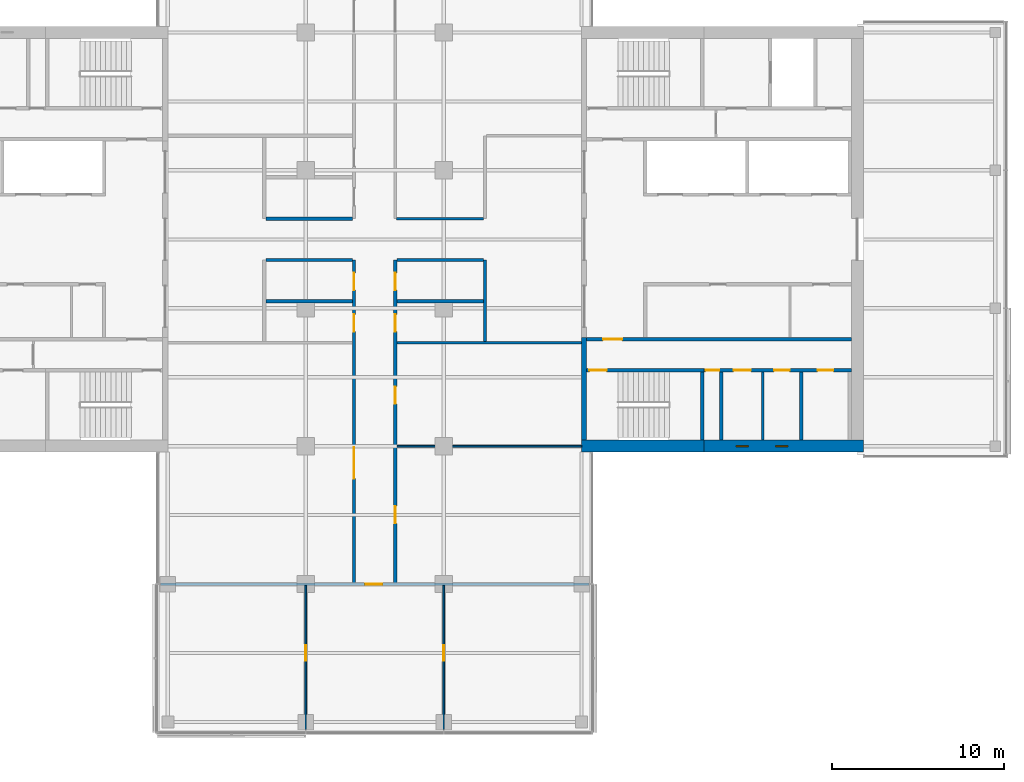
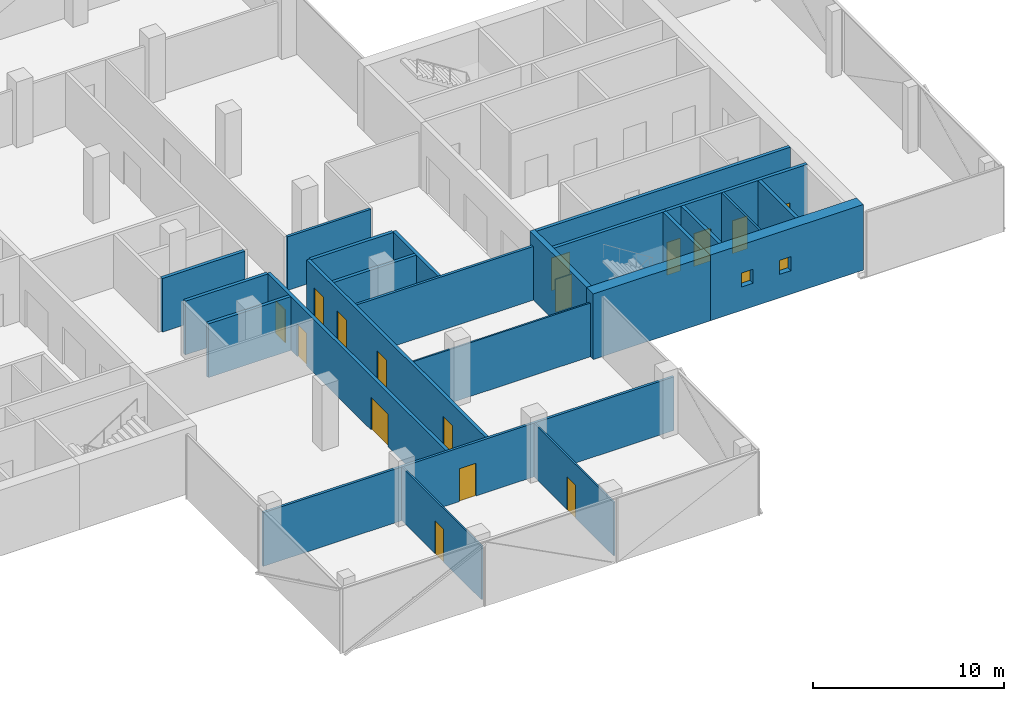
# One storey, part 14 of 22: 24 walls, 16 doors, 2 windows, 18 openings.
"""IFC4 building model written with IfcOpenShell, lengths in metres."""

from ifc_helpers import new_model, si_unit, direction, frame, frame_2d, origin, place, context, subcontext, project, spatial, rectangle, extrude, material, layer, layer_set, constituent, constituent_set, type_object, element, fill, save


model = new_model("IFC4")

# Units and contexts
model_context = context("Model", 3, precision=1e-05, world=origin(), true_north=direction((0.0, 1.0)))
body_context = subcontext(model_context, "Body", "Model", "MODEL_VIEW")
ifc_project = project(units=[si_unit("LENGTHUNIT", "METRE"), si_unit("AREAUNIT", "SQUARE_METRE"), si_unit("VOLUMEUNIT", "CUBIC_METRE"), si_unit("PLANEANGLEUNIT", "RADIAN"), si_unit("MASSUNIT", "GRAM", prefix="KILO")], contexts=[model_context])

# Site, building, storey
site_placement = place(None, origin())
site = spatial("IfcSite", under=ifc_project, at=site_placement, CompositionType="ELEMENT")
building_placement = place(site_placement, origin())
building = spatial("IfcBuilding", under=site, at=building_placement, Name="Crosswind Convention Tower", CompositionType="ELEMENT")
storey_placement = place(building_placement, frame((0.0, 0.0, 116.89990234375)))
storey = spatial("IfcBuildingStorey", under=building, at=storey_placement, Name="L23", CompositionType="ELEMENT", Elevation=116.89990234375)

# Wall
ifc_material_1 = material(Name="Concrete blockwork", Category="masonry")
ifc_layer_1 = layer(ifc_material_1, 0.199951171875)
ifc_layer_set_1 = layer_set([ifc_layer_1], Name="Blockwork partition wall 200")
wall_type_1 = type_object("IfcWallType", Name="Blockwork partition wall 200", PredefinedType="PARTITIONING", material=ifc_layer_set_1)
wall_1_placement = place(storey_placement, frame((145.10009765625, 88.35009765625, 0.0), z_axis=(0.0, 0.0, 1.0), x_axis=(0.0, 1.0, 0.0)))
element("IfcWall", 1, at=wall_1_placement, inside=storey, type_object=wall_type_1, Name="Wall MRSE E L23", PredefinedType="PARTITIONING", context=body_context, shape_type="SweptSolid", body=[
    extrude(rectangle(XDim=3.949951171875, YDim=0.199951171875, at=frame_2d((1.97509765625, 0.0))), origin(), (0.0, 0.0, 1.0), 4.2001953125),
])

# Wall, openings, doors
ifc_layer_2 = layer(ifc_material_1, 0.199951171875)
ifc_layer_set_2 = layer_set([ifc_layer_2], Name="COMPARTMENT WALL 200 BLOCKWORK")
wall_type_2 = type_object("IfcWallType", Name="COMPARTMENT WALL 200 BLOCKWORK", PredefinedType="SOLIDWALL", material=ifc_layer_set_2)
wall_2_placement = place(storey_placement, frame((123.800048828125, 80.074951171875, 0.0), z_axis=(0.0, 0.0, 1.0), x_axis=(0.0, 1.0, 0.0)))
wall_2 = element("IfcWall", 2, at=wall_2_placement, inside=storey, type_object=wall_type_2, Name="Compartment wall WT42", PredefinedType="SOLIDWALL", context=body_context, shape_type="SweptSolid", body=[
    extrude(rectangle(XDim=18.72509765625, YDim=0.199951171875, at=frame_2d((9.362548828125, 0.0))), origin(), (0.0, 0.0, 1.0), 3.4365234375),
])
opening_1_placement = place(wall_2_placement, frame((16.97509765625, 0.0, 0.0)))
opening_1 = element("IfcOpeningElement", 3, at=opening_1_placement, cuts=wall_2, Name="Opening L23-58", PredefinedType="OPENING", context=body_context, shape_type="SweptSolid", body=[
    extrude(rectangle(XDim=1.0, YDim=2.10009765625, at=frame_2d((0.5, 1.050048828125))), frame((0.0, 0.10986328125, 0.0), z_axis=(0.0, -1.0, 0.0), x_axis=(1.0, 0.0, 0.0)), (0.0, 0.0, 1.0), 0.219970703125),
])
opening_2_placement = place(wall_2_placement, frame((14.574951171875, 0.0, 0.0)))
opening_2 = element("IfcOpeningElement", 4, at=opening_2_placement, cuts=wall_2, Name="Opening L23-59", PredefinedType="OPENING", context=body_context, shape_type="SweptSolid", body=[
    extrude(rectangle(XDim=1.0, YDim=2.10009765625, at=frame_2d((0.5, 1.050048828125))), frame((0.0, 0.10986328125, 0.0), z_axis=(0.0, -1.0, 0.0), x_axis=(1.0, 0.0, 0.0)), (0.0, 0.0, 1.0), 0.219970703125),
])
opening_3_placement = place(wall_2_placement, frame((6.050048828125, 0.0, 0.0)))
opening_3 = element("IfcOpeningElement", 5, at=opening_3_placement, cuts=wall_2, Name="Opening L23-60", PredefinedType="OPENING", context=body_context, shape_type="SweptSolid", body=[
    extrude(rectangle(XDim=1.800048828125, YDim=2.10009765625, at=frame_2d((0.89990234375, 1.050048828125))), frame((0.0, 0.10986328125, 0.0), z_axis=(0.0, -1.0, 0.0), x_axis=(1.0, 0.0, 0.0)), (0.0, 0.0, 1.0), 0.219970703125),
])
ifc_material_2 = material(Name="Steel fire door", Category="steel")
door_type_1 = type_object("IfcDoorType", Name="PLANT ROOM DOOR 1000X2100 FD60", OperationType="NOTDEFINED", PredefinedType="DOOR", material=ifc_material_2)
door_1_placement = place(opening_1_placement, origin())
door_1 = element("IfcDoor", 6, at=door_1_placement, inside=storey, type_object=door_type_1, Name="Door L23-58", ObjectType="D43", OperationType="SINGLE_SWING_LEFT", OverallHeight=2.10009765625, OverallWidth=1.0, PredefinedType="DOOR", context=body_context, shape_type="SweptSolid", body=[
    extrude(rectangle(XDim=1.0, YDim=2.10009765625, at=frame_2d((0.5, 1.050048828125))), frame((0.0, 0.02490234375, 0.0), z_axis=(0.0, -1.0, 0.0), x_axis=(1.0, 0.0, 0.0)), (0.0, 0.0, 1.0), 0.050048828125),
])
fill(opening_1, door_1)
ifc_material_3 = material(Name="Timber fire door", Category="wood")
door_type_2 = type_object("IfcDoorType", Name="TENANCY ENTRANCE DOOR 1000X2100 FD30S", OperationType="NOTDEFINED", PredefinedType="DOOR", material=ifc_material_3)
door_2_placement = place(opening_2_placement, origin())
door_2 = element("IfcDoor", 7, at=door_2_placement, inside=storey, type_object=door_type_2, Name="Door L23-59", ObjectType="D41", OperationType="SINGLE_SWING_LEFT", OverallHeight=2.10009765625, OverallWidth=1.0, PredefinedType="DOOR", context=body_context, shape_type="SweptSolid", body=[
    extrude(rectangle(XDim=1.0, YDim=2.10009765625, at=frame_2d((0.5, 1.050048828125))), frame((0.0, 0.02490234375, 0.0), z_axis=(0.0, -1.0, 0.0), x_axis=(1.0, 0.0, 0.0)), (0.0, 0.0, 1.0), 0.050048828125),
])
fill(opening_2, door_2)
door_type_3 = type_object("IfcDoorType", Name="TENANCY ENTRANCE DOUBLE DOOR 1800X2100 FD30S", OperationType="DOUBLE_DOOR_SINGLE_SWING", PredefinedType="DOOR", material=ifc_material_3)
door_3_placement = place(opening_3_placement, origin())
door_3 = element("IfcDoor", 8, at=door_3_placement, inside=storey, type_object=door_type_3, Name="Door L23-60", ObjectType="D42", OperationType="DOUBLE_DOOR_SINGLE_SWING", OverallHeight=2.10009765625, OverallWidth=1.800048828125, PredefinedType="DOOR", context=body_context, shape_type="SweptSolid", body=[
    extrude(rectangle(XDim=1.800048828125, YDim=2.10009765625, at=frame_2d((0.89990234375, 1.050048828125))), frame((0.0, 0.02490234375, 0.0), z_axis=(0.0, -1.0, 0.0), x_axis=(1.0, 0.0, 0.0)), (0.0, 0.0, 1.0), 0.050048828125),
])
fill(opening_3, door_3)

wall_3_placement = place(storey_placement, frame((126.199951171875, 80.074951171875, 0.0), z_axis=(0.0, 0.0, 1.0), x_axis=(0.0, 1.0, 0.0)))
wall_3 = element("IfcWall", 9, at=wall_3_placement, inside=storey, type_object=wall_type_2, Name="Compartment wall WT42", PredefinedType="SOLIDWALL", context=body_context, shape_type="SweptSolid", body=[
    extrude(rectangle(XDim=18.72509765625, YDim=0.199951171875, at=frame_2d((9.362548828125, 0.0))), origin(), (0.0, 0.0, 1.0), 3.4365234375),
])
opening_4_placement = place(wall_3_placement, frame((16.97509765625, 0.0, 0.0)))
opening_4 = element("IfcOpeningElement", 10, at=opening_4_placement, cuts=wall_3, Name="Opening L23-51", PredefinedType="OPENING", context=body_context, shape_type="SweptSolid", body=[
    extrude(rectangle(XDim=1.0, YDim=2.10009765625, at=frame_2d((0.5, 1.050048828125))), frame((0.0, 0.10986328125, 0.0), z_axis=(0.0, -1.0, 0.0), x_axis=(1.0, 0.0, 0.0)), (0.0, 0.0, 1.0), 0.219970703125),
])
opening_5_placement = place(wall_3_placement, frame((14.574951171875, 0.0, 0.0)))
opening_5 = element("IfcOpeningElement", 11, at=opening_5_placement, cuts=wall_3, Name="Opening L23-52", PredefinedType="OPENING", context=body_context, shape_type="SweptSolid", body=[
    extrude(rectangle(XDim=1.0, YDim=2.10009765625, at=frame_2d((0.5, 1.050048828125))), frame((0.0, 0.10986328125, 0.0), z_axis=(0.0, -1.0, 0.0), x_axis=(1.0, 0.0, 0.0)), (0.0, 0.0, 1.0), 0.219970703125),
])
opening_6_placement = place(wall_3_placement, frame((10.375, 0.0, 0.0)))
opening_6 = element("IfcOpeningElement", 12, at=opening_6_placement, cuts=wall_3, Name="Opening L23-53", PredefinedType="OPENING", context=body_context, shape_type="SweptSolid", body=[
    extrude(rectangle(XDim=1.0, YDim=2.10009765625, at=frame_2d((0.5, 1.050048828125))), frame((0.0, 0.10986328125, 0.0), z_axis=(0.0, -1.0, 0.0), x_axis=(1.0, 0.0, 0.0)), (0.0, 0.0, 1.0), 0.219970703125),
])
opening_7_placement = place(wall_3_placement, frame((3.449951171875, 0.0, 0.0)))
opening_7 = element("IfcOpeningElement", 13, at=opening_7_placement, cuts=wall_3, Name="Opening L23-54", PredefinedType="OPENING", context=body_context, shape_type="SweptSolid", body=[
    extrude(rectangle(XDim=1.0, YDim=2.10009765625, at=frame_2d((0.5, 1.050048828125))), frame((0.0, 0.10986328125, 0.0), z_axis=(0.0, -1.0, 0.0), x_axis=(1.0, 0.0, 0.0)), (0.0, 0.0, 1.0), 0.219970703125),
])
door_4_placement = place(opening_4_placement, frame((1.0, 0.0, 0.0), z_axis=(0.0, 0.0, 1.0), x_axis=(-1.0, 0.0, 0.0)))
door_4 = element("IfcDoor", 14, at=door_4_placement, inside=storey, type_object=door_type_1, Name="Door L23-51", ObjectType="D43", OperationType="SINGLE_SWING_RIGHT", OverallHeight=2.10009765625, OverallWidth=1.0, PredefinedType="DOOR", context=body_context, shape_type="SweptSolid", body=[
    extrude(rectangle(XDim=1.0, YDim=2.10009765625, at=frame_2d((0.5, 1.050048828125))), frame((0.0, 0.02490234375, 0.0), z_axis=(0.0, -1.0, 0.0), x_axis=(1.0, 0.0, 0.0)), (0.0, 0.0, 1.0), 0.050048828125),
])
fill(opening_4, door_4)
door_5_placement = place(opening_5_placement, frame((1.0, 0.0, 0.0), z_axis=(0.0, 0.0, 1.0), x_axis=(-1.0, 0.0, 0.0)))
door_5 = element("IfcDoor", 15, at=door_5_placement, inside=storey, type_object=door_type_2, Name="Door L23-52", ObjectType="D41", OperationType="SINGLE_SWING_RIGHT", OverallHeight=2.10009765625, OverallWidth=1.0, PredefinedType="DOOR", context=body_context, shape_type="SweptSolid", body=[
    extrude(rectangle(XDim=1.0, YDim=2.10009765625, at=frame_2d((0.5, 1.050048828125))), frame((0.0, 0.02490234375, 0.0), z_axis=(0.0, -1.0, 0.0), x_axis=(1.0, 0.0, 0.0)), (0.0, 0.0, 1.0), 0.050048828125),
])
fill(opening_5, door_5)
door_6_placement = place(opening_6_placement, frame((1.0, 0.0, 0.0), z_axis=(0.0, 0.0, 1.0), x_axis=(-1.0, 0.0, 0.0)))
door_6 = element("IfcDoor", 16, at=door_6_placement, inside=storey, type_object=door_type_2, Name="Door L23-53", ObjectType="D41", OperationType="SINGLE_SWING_RIGHT", OverallHeight=2.10009765625, OverallWidth=1.0, PredefinedType="DOOR", context=body_context, shape_type="SweptSolid", body=[
    extrude(rectangle(XDim=1.0, YDim=2.10009765625, at=frame_2d((0.5, 1.050048828125))), frame((0.0, 0.02490234375, 0.0), z_axis=(0.0, -1.0, 0.0), x_axis=(1.0, 0.0, 0.0)), (0.0, 0.0, 1.0), 0.050048828125),
])
fill(opening_6, door_6)
door_7_placement = place(opening_7_placement, frame((1.0, 0.0, 0.0), z_axis=(0.0, 0.0, 1.0), x_axis=(-1.0, 0.0, 0.0)))
door_7 = element("IfcDoor", 17, at=door_7_placement, inside=storey, type_object=door_type_2, Name="Door L23-54", ObjectType="D41", OperationType="SINGLE_SWING_LEFT", OverallHeight=2.10009765625, OverallWidth=1.0, PredefinedType="DOOR", context=body_context, shape_type="SweptSolid", body=[
    extrude(rectangle(XDim=1.0, YDim=2.10009765625, at=frame_2d((0.5, 1.050048828125))), frame((0.0, 0.02490234375, 0.0), z_axis=(0.0, -1.0, 0.0), x_axis=(1.0, 0.0, 0.0)), (0.0, 0.0, 1.0), 0.050048828125),
])
fill(opening_7, door_7)

# Walls
wall_4_placement = place(storey_placement, frame((131.39990234375, 94.074951171875, 0.0), z_axis=(0.0, 0.0, 1.0), x_axis=(0.0, 1.0, 0.0)))
element("IfcWall", 18, at=wall_4_placement, inside=storey, type_object=wall_type_2, Name="Compartment wall WT42", PredefinedType="SOLIDWALL", context=body_context, shape_type="SweptSolid", body=[
    extrude(rectangle(XDim=4.72509765625, YDim=0.199951171875, at=frame_2d((2.362548828125, 0.0))), origin(), (0.0, 0.0, 1.0), 3.4365234375),
])
for number, where, z_axis, x_axis, name in (
    (19, (118.699951171875, 96.39990234375, 0.0), (0.0, 0.0, 1.0), (1.0, 0.0, 0.0), "Compartment wall WT42"),
    (20, (126.300048828125, 96.39990234375, 0.0), (0.0, 0.0, 1.0), (1.0, 0.0, 0.0), "Compartment wall WT42"),
    (21, (118.699951171875, 98.800048828125, 0.0), (0.0, 0.0, 1.0), (1.0, 0.0, 0.0), "Compartment wall WT42"),
    (22, (126.300048828125, 98.800048828125, 0.0), (0.0, 0.0, 1.0), (1.0, 0.0, 0.0), "Compartment wall WT42"),
    (23, (118.699951171875, 101.199951171875, 0.0), (0.0, 0.0, 1.0), (1.0, 0.0, 0.0), "Compartment wall WT42"),
):
    element("IfcWall", number, at=place(storey_placement, frame(where, z_axis=z_axis, x_axis=x_axis)), inside=storey, type_object=wall_type_2, Name=name, PredefinedType="SOLIDWALL", context=body_context, shape_type="SweptSolid", body=[
        extrude(rectangle(XDim=5.0, YDim=0.199951171875, at=frame_2d((2.5, 0.0))), origin(), (0.0, 0.0, 1.0), 3.4365234375),
    ])
ifc_material_4 = material(Name="Concrete C50/60", Category="concrete")
ifc_layer_3 = layer(ifc_material_4, 0.300048828125)
ifc_layer_set_3 = layer_set([ifc_layer_3], Name="Concrete C50/60")
wall_type_3 = type_object("IfcWallType", Name="Concrete inner core wall 300", PredefinedType="SHEAR", material=ifc_layer_set_3)
wall_5_placement = place(storey_placement, frame((137.14990234375, 88.35009765625, 0.0), z_axis=(0.0, 0.0, 1.0), x_axis=(0.0, 1.0, 0.0)))
element("IfcWall", 24, at=wall_5_placement, inside=storey, type_object=wall_type_3, Name="Wall EM E L23", PredefinedType="SHEAR", context=body_context, shape_type="SweptSolid", body=[
    extrude(rectangle(XDim=5.949951171875, YDim=0.300048828125, at=frame_2d((2.97509765625, 0.0))), origin(), (0.0, 0.0, 1.0), 4.2001953125),
])

# Wall, opening, door
ifc_layer_4 = layer(ifc_material_4, 0.199951171875)
ifc_layer_set_4 = layer_set([ifc_layer_4], Name="Concrete C50/60")
wall_type_4 = type_object("IfcWallType", Name="Concrete shaft and stair wall 200", PredefinedType="SHEAR", material=ifc_layer_set_4)
wall_6_placement = place(storey_placement, frame((137.300048828125, 94.199951171875, 0.0), z_axis=(0.0, 0.0, 1.0), x_axis=(1.0, 0.0, 0.0)))
wall_6 = element("IfcWall", 25, at=wall_6_placement, inside=storey, type_object=wall_type_4, Name="Wall HM E L23", PredefinedType="SHEAR", context=body_context, shape_type="SweptSolid", body=[
    extrude(rectangle(XDim=15.349853515625, YDim=0.199951171875, at=frame_2d((7.6748046875, 0.0))), origin(), (0.0, 0.0, 1.0), 4.2001953125),
])
opening_8_placement = place(wall_6_placement, frame((0.949951171875, 0.0, 0.0)))
opening_8 = element("IfcOpeningElement", 26, at=opening_8_placement, cuts=wall_6, Name="Opening D104", PredefinedType="OPENING", context=body_context, shape_type="SweptSolid", body=[
    extrude(rectangle(XDim=1.10009765625, YDim=2.10009765625, at=frame_2d((0.550048828125, 1.050048828125))), frame((0.0, 0.10986328125, 0.0), z_axis=(0.0, -1.0, 0.0), x_axis=(1.0, 0.0, 0.0)), (0.0, 0.0, 1.0), 0.219970703125),
])
door_type_4 = type_object("IfcDoorType", Name="Fire-rated single door 1100x2100", OperationType="NOTDEFINED", PredefinedType="DOOR", material=ifc_material_2)
door_8_placement = place(opening_8_placement, origin())
door_8 = element("IfcDoor", 27, at=door_8_placement, inside=storey, type_object=door_type_4, Name="Corridor door L23", ObjectType="D104", OperationType="SINGLE_SWING_LEFT", OverallHeight=2.10009765625, OverallWidth=1.10009765625, PredefinedType="DOOR", context=body_context, shape_type="SweptSolid", body=[
    extrude(rectangle(XDim=1.10009765625, YDim=2.10009765625, at=frame_2d((0.550048828125, 1.050048828125))), frame((0.0, 0.02490234375, 0.0), z_axis=(0.0, -1.0, 0.0), x_axis=(1.0, 0.0, 0.0)), (0.0, 0.0, 1.0), 0.050048828125),
])
fill(opening_8, door_8)

# Walls
for number, where, z_axis, x_axis, name in (
    (28, (144.0, 88.35009765625, 0.0), (0.0, 0.0, 1.0), (0.0, 1.0, 0.0), "Wall MSE E L23"),
    (29, (149.75, 88.35009765625, 0.0), (0.0, 0.0, 1.0), (0.0, 1.0, 0.0), "Wall MFSW E L23"),
):
    element("IfcWall", number, at=place(storey_placement, frame(where, z_axis=z_axis, x_axis=x_axis)), inside=storey, type_object=wall_type_4, Name=name, PredefinedType="SHEAR", context=body_context, shape_type="SweptSolid", body=[
        extrude(rectangle(XDim=3.949951171875, YDim=0.199951171875, at=frame_2d((1.97509765625, 0.0))), origin(), (0.0, 0.0, 1.0), 4.2001953125),
    ])

# Wall, opening, door
wall_7_placement = place(storey_placement, frame((137.300048828125, 92.39990234375, 0.0), z_axis=(0.0, 0.0, 1.0), x_axis=(1.0, 0.0, 0.0)))
wall_7 = element("IfcWall", 30, at=wall_7_placement, inside=storey, type_object=wall_type_4, Name="Wall MCW E L23", PredefinedType="SHEAR", context=body_context, shape_type="SweptSolid", body=[
    extrude(rectangle(XDim=6.800048828125, YDim=0.199951171875, at=frame_2d((3.39990234375, 0.0))), origin(), (0.0, 0.0, 1.0), 4.2001953125),
])
opening_9_placement = place(wall_7_placement, frame((0.14990234375, 0.0, 0.0)))
opening_9 = element("IfcOpeningElement", 31, at=opening_9_placement, cuts=wall_7, Name="Opening D103", PredefinedType="OPENING", context=body_context, shape_type="SweptSolid", body=[
    extrude(rectangle(XDim=1.0, YDim=2.10009765625, at=frame_2d((0.5, 1.050048828125))), frame((0.0, 0.10986328125, 0.0), z_axis=(0.0, -1.0, 0.0), x_axis=(1.0, 0.0, 0.0)), (0.0, 0.0, 1.0), 0.219970703125),
])
door_type_5 = type_object("IfcDoorType", Name="Fire-rated single door 1000x2100", OperationType="NOTDEFINED", PredefinedType="DOOR", material=ifc_material_2)
door_9_placement = place(opening_9_placement, frame((1.0, 0.0, 0.0), z_axis=(0.0, 0.0, 1.0), x_axis=(-1.0, 0.0, 0.0)))
door_9 = element("IfcDoor", 32, at=door_9_placement, inside=storey, type_object=door_type_5, Name="Stair ST2 door L23", ObjectType="D103", OperationType="SINGLE_SWING_RIGHT", OverallHeight=2.10009765625, OverallWidth=1.0, PredefinedType="DOOR", context=body_context, shape_type="SweptSolid", body=[
    extrude(rectangle(XDim=1.0, YDim=2.10009765625, at=frame_2d((0.5, 1.050048828125))), frame((0.0, 0.02490234375, 0.0), z_axis=(0.0, -1.0, 0.0), x_axis=(1.0, 0.0, 0.0)), (0.0, 0.0, 1.0), 0.050048828125),
])
fill(opening_9, door_9)

# Wall, openings, doors
wall_8_placement = place(storey_placement, frame((144.10009765625, 92.39990234375, 0.0), z_axis=(0.0, 0.0, 1.0), x_axis=(1.0, 0.0, 0.0)))
wall_8 = element("IfcWall", 33, at=wall_8_placement, inside=storey, type_object=wall_type_4, Name="Wall MCX E L23", PredefinedType="SHEAR", context=body_context, shape_type="SweptSolid", body=[
    extrude(rectangle(XDim=8.5498046875, YDim=0.199951171875, at=frame_2d((4.27490234375, 0.0))), origin(), (0.0, 0.0, 1.0), 4.2001953125),
])
opening_10_placement = place(wall_8_placement, frame((0.10009765625, 0.0, 0.0)))
opening_10 = element("IfcOpeningElement", 34, at=opening_10_placement, cuts=wall_8, Name="Opening D105", PredefinedType="OPENING", context=body_context, shape_type="SweptSolid", body=[
    extrude(rectangle(XDim=0.800048828125, YDim=2.10009765625, at=frame_2d((0.39990234375, 1.050048828125))), frame((0.0, 0.10986328125, 0.0), z_axis=(0.0, -1.0, 0.0), x_axis=(1.0, 0.0, 0.0)), (0.0, 0.0, 1.0), 0.219970703125),
])
opening_11_placement = place(wall_8_placement, frame((1.725830078125, 0.0, 0.0)))
opening_11 = element("IfcOpeningElement", 35, at=opening_11_placement, cuts=wall_8, Name="Opening D103", PredefinedType="OPENING", context=body_context, shape_type="SweptSolid", body=[
    extrude(rectangle(XDim=1.0, YDim=2.10009765625, at=frame_2d((0.5, 1.050048828125))), frame((0.0, 0.10986328125, 0.0), z_axis=(0.0, -1.0, 0.0), x_axis=(1.0, 0.0, 0.0)), (0.0, 0.0, 1.0), 0.219970703125),
])
opening_12_placement = place(wall_8_placement, frame((4.063232421875, 0.0, 0.0)))
opening_12 = element("IfcOpeningElement", 36, at=opening_12_placement, cuts=wall_8, Name="Opening D106", PredefinedType="OPENING", context=body_context, shape_type="SweptSolid", body=[
    extrude(rectangle(XDim=0.89990234375, YDim=2.10009765625, at=frame_2d((0.449951171875, 1.050048828125))), frame((0.0, 0.10986328125, 0.0), z_axis=(0.0, -1.0, 0.0), x_axis=(1.0, 0.0, 0.0)), (0.0, 0.0, 1.0), 0.219970703125),
])
opening_13_placement = place(wall_8_placement, frame((6.60009765625, 0.0, 0.0)))
opening_13 = element("IfcOpeningElement", 37, at=opening_13_placement, cuts=wall_8, Name="Opening D106", PredefinedType="OPENING", context=body_context, shape_type="SweptSolid", body=[
    extrude(rectangle(XDim=0.89990234375, YDim=2.10009765625, at=frame_2d((0.449951171875, 1.050048828125))), frame((0.0, 0.10986328125, 0.0), z_axis=(0.0, -1.0, 0.0), x_axis=(1.0, 0.0, 0.0)), (0.0, 0.0, 1.0), 0.219970703125),
])
door_10_placement = place(opening_11_placement, frame((1.0, 0.0, 0.0), z_axis=(0.0, 0.0, 1.0), x_axis=(-1.0, 0.0, 0.0)))
door_10 = element("IfcDoor", 38, at=door_10_placement, inside=storey, type_object=door_type_5, Name="Door to accessible wc L23", ObjectType="D103", OperationType="SINGLE_SWING_LEFT", OverallHeight=2.10009765625, OverallWidth=1.0, PredefinedType="DOOR", context=body_context, shape_type="SweptSolid", body=[
    extrude(rectangle(XDim=1.0, YDim=2.10009765625, at=frame_2d((0.5, 1.050048828125))), frame((0.0, 0.02490234375, 0.0), z_axis=(0.0, -1.0, 0.0), x_axis=(1.0, 0.0, 0.0)), (0.0, 0.0, 1.0), 0.050048828125),
])
fill(opening_11, door_10)
door_type_6 = type_object("IfcDoorType", Name="Riser access door 800x2100", OperationType="NOTDEFINED", PredefinedType="DOOR", material=ifc_material_2)
door_11_placement = place(opening_10_placement, frame((0.800048828125, 0.0, 0.0), z_axis=(0.0, 0.0, 1.0), x_axis=(-1.0, 0.0, 0.0)))
door_11 = element("IfcDoor", 39, at=door_11_placement, inside=storey, type_object=door_type_6, Name="Riser door L23", ObjectType="D105", OperationType="SINGLE_SWING_LEFT", OverallHeight=2.10009765625, OverallWidth=0.800048828125, PredefinedType="DOOR", context=body_context, shape_type="SweptSolid", body=[
    extrude(rectangle(XDim=0.800048828125, YDim=2.10009765625, at=frame_2d((0.39990234375, 1.050048828125))), frame((0.0, 0.02490234375, 0.0), z_axis=(0.0, -1.0, 0.0), x_axis=(1.0, 0.0, 0.0)), (0.0, 0.0, 1.0), 0.050048828125),
])
fill(opening_10, door_11)
ifc_material_5 = material(Name="Timber door", Category="wood")
door_type_7 = type_object("IfcDoorType", Name="Single leaf door 900x2100", OperationType="NOTDEFINED", PredefinedType="DOOR", material=ifc_material_5)
door_12_placement = place(opening_12_placement, frame((0.89990234375, 0.0, 0.0), z_axis=(0.0, 0.0, 1.0), x_axis=(-1.0, 0.0, 0.0)))
door_12 = element("IfcDoor", 40, at=door_12_placement, inside=storey, type_object=door_type_7, Name="Door to wc L23", ObjectType="D106", OperationType="SINGLE_SWING_LEFT", OverallHeight=2.10009765625, OverallWidth=0.89990234375, PredefinedType="DOOR", context=body_context, shape_type="SweptSolid", body=[
    extrude(rectangle(XDim=0.89990234375, YDim=2.10009765625, at=frame_2d((0.449951171875, 1.050048828125))), frame((0.0, 0.02490234375, 0.0), z_axis=(0.0, -1.0, 0.0), x_axis=(1.0, 0.0, 0.0)), (0.0, 0.0, 1.0), 0.050048828125),
])
fill(opening_12, door_12)
door_13_placement = place(opening_13_placement, frame((0.89990234375, 0.0, 0.0), z_axis=(0.0, 0.0, 1.0), x_axis=(-1.0, 0.0, 0.0)))
door_13 = element("IfcDoor", 41, at=door_13_placement, inside=storey, type_object=door_type_7, Name="Door to wc L23", ObjectType="D106", OperationType="SINGLE_SWING_LEFT", OverallHeight=2.10009765625, OverallWidth=0.89990234375, PredefinedType="DOOR", context=body_context, shape_type="SweptSolid", body=[
    extrude(rectangle(XDim=0.89990234375, YDim=2.10009765625, at=frame_2d((0.449951171875, 1.050048828125))), frame((0.0, 0.02490234375, 0.0), z_axis=(0.0, -1.0, 0.0), x_axis=(1.0, 0.0, 0.0)), (0.0, 0.0, 1.0), 0.050048828125),
])
fill(opening_13, door_13)

# Wall
ifc_material_6 = material(Name="Gypsum plasterboard partition", Category="gypsum")
ifc_layer_5 = layer(ifc_material_6, 0.125)
ifc_layer_set_5 = layer_set([ifc_layer_5], Name="Drywall partition wall 125")
wall_type_5 = type_object("IfcWallType", Name="Drywall partition wall 125", PredefinedType="PARTITIONING", material=ifc_layer_set_5)
wall_9_placement = place(storey_placement, frame((147.513916015625, 88.35009765625, 0.0), z_axis=(0.0, 0.0, 1.0), x_axis=(0.0, 1.0, 0.0)))
element("IfcWall", 42, at=wall_9_placement, inside=storey, type_object=wall_type_5, Name="Wall MWP1 E L23", PredefinedType="PARTITIONING", context=body_context, shape_type="SweptSolid", body=[
    extrude(rectangle(XDim=3.949951171875, YDim=0.125, at=frame_2d((1.97509765625, 0.0))), origin(), (0.0, 0.0, 1.0), 4.2001953125),
])

# Wall, opening, door
ifc_material_7 = material(Name="Plasterboard partition", Category="gypsum")
ifc_layer_6 = layer(ifc_material_7, 0.10009765625)
ifc_layer_set_6 = layer_set([ifc_layer_6], Name="PARTITION 100 METAL STUD")
wall_type_6 = type_object("IfcWallType", Name="PARTITION 100 METAL STUD", PredefinedType="PARTITIONING", material=ifc_layer_set_6)
wall_10_placement = place(storey_placement, frame((121.0, 71.580078125, 0.0), z_axis=(0.0, 0.0, 1.0), x_axis=(0.0, 1.0, 0.0)))
wall_10 = element("IfcWall", 43, at=wall_10_placement, inside=storey, type_object=wall_type_6, Name="Partition wall WT40", PredefinedType="PARTITIONING", context=body_context, shape_type="SweptSolid", body=[
    extrude(rectangle(XDim=8.344970703125, YDim=0.10009765625, at=frame_2d((4.17236328125, 0.0))), origin(), (0.0, 0.0, 1.0), 3.4365234375),
])
opening_14_placement = place(wall_10_placement, frame((3.969970703125, 0.0, 0.0)))
opening_14 = element("IfcOpeningElement", 44, at=opening_14_placement, cuts=wall_10, Name="Opening L23-63", PredefinedType="OPENING", context=body_context, shape_type="SweptSolid", body=[
    extrude(rectangle(XDim=0.89990234375, YDim=2.10009765625, at=frame_2d((0.449951171875, 1.050048828125))), frame((0.0, 0.06005859375, 0.0), z_axis=(0.0, -1.0, 0.0), x_axis=(1.0, 0.0, 0.0)), (0.0, 0.0, 1.0), 0.1201171875),
])
door_type_8 = type_object("IfcDoorType", Name="INTERNAL DOOR 900X2100", OperationType="NOTDEFINED", PredefinedType="DOOR", material=ifc_material_5)
door_14_placement = place(opening_14_placement, frame((0.89990234375, 0.0, 0.0), z_axis=(0.0, 0.0, 1.0), x_axis=(-1.0, 0.0, 0.0)))
door_14 = element("IfcDoor", 45, at=door_14_placement, inside=storey, type_object=door_type_8, Name="Door L23-63", ObjectType="D40", OperationType="SINGLE_SWING_LEFT", OverallHeight=2.10009765625, OverallWidth=0.89990234375, PredefinedType="DOOR", context=body_context, shape_type="SweptSolid", body=[
    extrude(rectangle(XDim=0.89990234375, YDim=2.10009765625, at=frame_2d((0.449951171875, 1.050048828125))), frame((0.0, 0.02490234375, 0.0), z_axis=(0.0, -1.0, 0.0), x_axis=(1.0, 0.0, 0.0)), (0.0, 0.0, 1.0), 0.050048828125),
])
fill(opening_14, door_14)

wall_11_placement = place(storey_placement, frame((129.0, 71.580078125, 0.0), z_axis=(0.0, 0.0, 1.0), x_axis=(0.0, 1.0, 0.0)))
wall_11 = element("IfcWall", 46, at=wall_11_placement, inside=storey, type_object=wall_type_6, Name="Partition wall WT40", PredefinedType="PARTITIONING", context=body_context, shape_type="SweptSolid", body=[
    extrude(rectangle(XDim=8.344970703125, YDim=0.10009765625, at=frame_2d((4.17236328125, 0.0))), origin(), (0.0, 0.0, 1.0), 3.4365234375),
])
opening_15_placement = place(wall_11_placement, frame((3.969970703125, 0.0, 0.0)))
opening_15 = element("IfcOpeningElement", 47, at=opening_15_placement, cuts=wall_11, Name="Opening L23-64", PredefinedType="OPENING", context=body_context, shape_type="SweptSolid", body=[
    extrude(rectangle(XDim=0.89990234375, YDim=2.10009765625, at=frame_2d((0.449951171875, 1.050048828125))), frame((0.0, 0.06005859375, 0.0), z_axis=(0.0, -1.0, 0.0), x_axis=(1.0, 0.0, 0.0)), (0.0, 0.0, 1.0), 0.1201171875),
])
door_15_placement = place(opening_15_placement, origin())
door_15 = element("IfcDoor", 48, at=door_15_placement, inside=storey, type_object=door_type_8, Name="Door L23-64", ObjectType="D40", OperationType="SINGLE_SWING_RIGHT", OverallHeight=2.10009765625, OverallWidth=0.89990234375, PredefinedType="DOOR", context=body_context, shape_type="SweptSolid", body=[
    extrude(rectangle(XDim=0.89990234375, YDim=2.10009765625, at=frame_2d((0.449951171875, 1.050048828125))), frame((0.0, 0.02490234375, 0.0), z_axis=(0.0, -1.0, 0.0), x_axis=(1.0, 0.0, 0.0)), (0.0, 0.0, 1.0), 0.050048828125),
])
fill(opening_15, door_15)

# Wall
wall_12_placement = place(storey_placement, frame((126.300048828125, 88.0, 0.0), z_axis=(0.0, 0.0, 1.0), x_axis=(1.0, 0.0, 0.0)))
element("IfcWall", 49, at=wall_12_placement, inside=storey, type_object=wall_type_6, Name="Partition wall WT40", PredefinedType="PARTITIONING", context=body_context, shape_type="SweptSolid", body=[
    extrude(rectangle(XDim=10.699951171875, YDim=0.10009765625, at=frame_2d((5.35009765625, 0.0))), origin(), (0.0, 0.0, 1.0), 3.4365234375),
])

# Wall, opening, door
ifc_material_8 = material(Name="Fire-board partition with mineral wool", Category="gypsum")
ifc_layer_7 = layer(ifc_material_8, 0.14990234375)
ifc_layer_set_7 = layer_set([ifc_layer_7], Name="TENANCY WALL 150 TWO-HOUR BOARD")
wall_type_7 = type_object("IfcWallType", Name="TENANCY WALL 150 TWO-HOUR BOARD", PredefinedType="PARTITIONING", material=ifc_layer_set_7)
wall_13_placement = place(storey_placement, frame((112.580078125, 80.0, 0.0), z_axis=(0.0, 0.0, 1.0), x_axis=(1.0, 0.0, 0.0)))
wall_13 = element("IfcWall", 50, at=wall_13_placement, inside=storey, type_object=wall_type_7, Name="Tenancy wall WT41", PredefinedType="PARTITIONING", context=body_context, shape_type="SweptSolid", body=[
    extrude(rectangle(XDim=24.83984375, YDim=0.14990234375, at=frame_2d((12.419921875, 0.0))), origin(), (0.0, 0.0, 1.0), 3.4365234375),
])
opening_16_placement = place(wall_13_placement, frame((11.8701171875, 0.0, 0.0)))
opening_16 = element("IfcOpeningElement", 51, at=opening_16_placement, cuts=wall_13, Name="Opening L23-62", PredefinedType="OPENING", context=body_context, shape_type="SweptSolid", body=[
    extrude(rectangle(XDim=1.0, YDim=2.10009765625, at=frame_2d((0.5, 1.050048828125))), frame((0.0, 0.0849609375, 0.0), z_axis=(0.0, -1.0, 0.0), x_axis=(1.0, 0.0, 0.0)), (0.0, 0.0, 1.0), 0.169921875),
])
door_16_placement = place(opening_16_placement, frame((1.0, 0.0, 0.0), z_axis=(0.0, 0.0, 1.0), x_axis=(-1.0, 0.0, 0.0)))
door_16 = element("IfcDoor", 52, at=door_16_placement, inside=storey, type_object=door_type_2, Name="Door L23-62", ObjectType="D41", OperationType="SINGLE_SWING_RIGHT", OverallHeight=2.10009765625, OverallWidth=1.0, PredefinedType="DOOR", context=body_context, shape_type="SweptSolid", body=[
    extrude(rectangle(XDim=1.0, YDim=2.10009765625, at=frame_2d((0.5, 1.050048828125))), frame((0.0, 0.02490234375, 0.0), z_axis=(0.0, -1.0, 0.0), x_axis=(1.0, 0.0, 0.0)), (0.0, 0.0, 1.0), 0.050048828125),
])
fill(opening_16, door_16)

# Walls
wall_14_placement = place(storey_placement, frame((126.300048828125, 94.0, 0.0), z_axis=(0.0, 0.0, 1.0), x_axis=(1.0, 0.0, 0.0)))
element("IfcWall", 53, at=wall_14_placement, inside=storey, type_object=wall_type_7, Name="Tenancy wall WT41", PredefinedType="PARTITIONING", context=body_context, shape_type="SweptSolid", body=[
    extrude(rectangle(XDim=10.699951171875, YDim=0.14990234375, at=frame_2d((5.35009765625, 0.0))), origin(), (0.0, 0.0, 1.0), 3.4365234375),
])
wall_15_placement = place(storey_placement, frame((126.27490234375, 101.199951171875, 0.0), z_axis=(0.0, 0.0, 1.0), x_axis=(1.0, 0.0, 0.0)))
element("IfcWall", 54, at=wall_15_placement, inside=storey, type_object=wall_type_7, Name="Tenancy wall WT41", PredefinedType="PARTITIONING", context=body_context, shape_type="SweptSolid", body=[
    extrude(rectangle(XDim=5.050048828125, YDim=0.14990234375, at=frame_2d((2.52490234375, 0.0))), origin(), (0.0, 0.0, 1.0), 3.4365234375),
])
ifc_material_9 = material(Name="Concrete C60/75", Category="concrete")
ifc_constituent_1 = constituent(ifc_material_9, Name="Structure")
ifc_material_10 = material(Name="Terracotta rainscreen", Category="ceramic")
ifc_constituent_2 = constituent(ifc_material_10, Name="Facing")
ifc_constituent_set = constituent_set(constituents=[ifc_constituent_1, ifc_constituent_2], Name="Concrete C60/75, Terracotta rainscreen")
wall_type_8 = type_object("IfcWallType", Name="Terracotta rainscreen on concrete core wall 700", PredefinedType="SHEAR", material=ifc_constituent_set)
wall_16_placement = place(storey_placement, frame((137.0, 88.0, 0.0), z_axis=(0.0, 0.0, 1.0), x_axis=(1.0, 0.0, 0.0)))
element("IfcWall", 55, at=wall_16_placement, inside=storey, type_object=wall_type_8, Name="Wall S1 E L23", PredefinedType="SHEAR", context=body_context, shape_type="SweptSolid", body=[
    extrude(rectangle(XDim=7.10009765625, YDim=0.699951171875, at=frame_2d((3.550048828125, 0.0))), origin(), (0.0, 0.0, 1.0), 4.2001953125),
])

# Wall, openings, windows
wall_17_placement = place(storey_placement, frame((144.10009765625, 88.0, 0.0), z_axis=(0.0, 0.0, 1.0), x_axis=(1.0, 0.0, 0.0)))
wall_17 = element("IfcWall", 56, at=wall_17_placement, inside=storey, type_object=wall_type_8, Name="Wall S2 E L23", PredefinedType="SHEAR", context=body_context, shape_type="SweptSolid", body=[
    extrude(rectangle(XDim=9.25, YDim=0.699951171875, at=frame_2d((4.625, 0.0))), origin(), (0.0, 0.0, 1.0), 4.2001953125),
])
opening_17_placement = place(wall_17_placement, frame((1.875732421875, 0.0, 1.5)))
opening_17 = element("IfcOpeningElement", 57, at=opening_17_placement, cuts=wall_17, Name="Opening W2", PredefinedType="OPENING", context=body_context, shape_type="SweptSolid", body=[
    extrude(rectangle(XDim=0.699951171875, YDim=0.89990234375, at=frame_2d((0.35009765625, 0.449951171875))), frame((0.0, 0.35986328125, 0.0), z_axis=(0.0, -1.0, 0.0), x_axis=(1.0, 0.0, 0.0)), (0.0, 0.0, 1.0), 0.719970703125),
])
opening_18_placement = place(wall_17_placement, frame((4.163330078125, 0.0, 1.5)))
opening_18 = element("IfcOpeningElement", 58, at=opening_18_placement, cuts=wall_17, Name="Opening W2", PredefinedType="OPENING", context=body_context, shape_type="SweptSolid", body=[
    extrude(rectangle(XDim=0.699951171875, YDim=0.89990234375, at=frame_2d((0.35009765625, 0.449951171875))), frame((0.0, 0.35986328125, 0.0), z_axis=(0.0, -1.0, 0.0), x_axis=(1.0, 0.0, 0.0)), (0.0, 0.0, 1.0), 0.719970703125),
])
ifc_material_11 = material(Name="Obscure glass in aluminium frame", Category="aluminium")
window_type = type_object("IfcWindowType", Name="WC window 700x900", PartitioningType="SINGLE_PANEL", PredefinedType="WINDOW", material=ifc_material_11)
window_1_placement = place(opening_17_placement, origin())
window_1 = element("IfcWindow", 59, at=window_1_placement, inside=storey, type_object=window_type, Name="WC window L23", ObjectType="W2", OverallHeight=0.89990234375, OverallWidth=0.699951171875, PartitioningType="SINGLE_PANEL", PredefinedType="WINDOW", context=body_context, shape_type="SweptSolid", body=[
    extrude(rectangle(XDim=0.699951171875, YDim=0.89990234375, at=frame_2d((0.35009765625, 0.449951171875))), frame((0.0, 0.030029296875, 0.0), z_axis=(0.0, -1.0, 0.0), x_axis=(1.0, 0.0, 0.0)), (0.0, 0.0, 1.0), 0.06005859375),
])
fill(opening_17, window_1)
window_2_placement = place(opening_18_placement, origin())
window_2 = element("IfcWindow", 60, at=window_2_placement, inside=storey, type_object=window_type, Name="WC window L23", ObjectType="W2", OverallHeight=0.89990234375, OverallWidth=0.699951171875, PartitioningType="SINGLE_PANEL", PredefinedType="WINDOW", context=body_context, shape_type="SweptSolid", body=[
    extrude(rectangle(XDim=0.699951171875, YDim=0.89990234375, at=frame_2d((0.35009765625, 0.449951171875))), frame((0.0, 0.030029296875, 0.0), z_axis=(0.0, -1.0, 0.0), x_axis=(1.0, 0.0, 0.0)), (0.0, 0.0, 1.0), 0.06005859375),
])
fill(opening_18, window_2)

save(model, "model.ifc")
